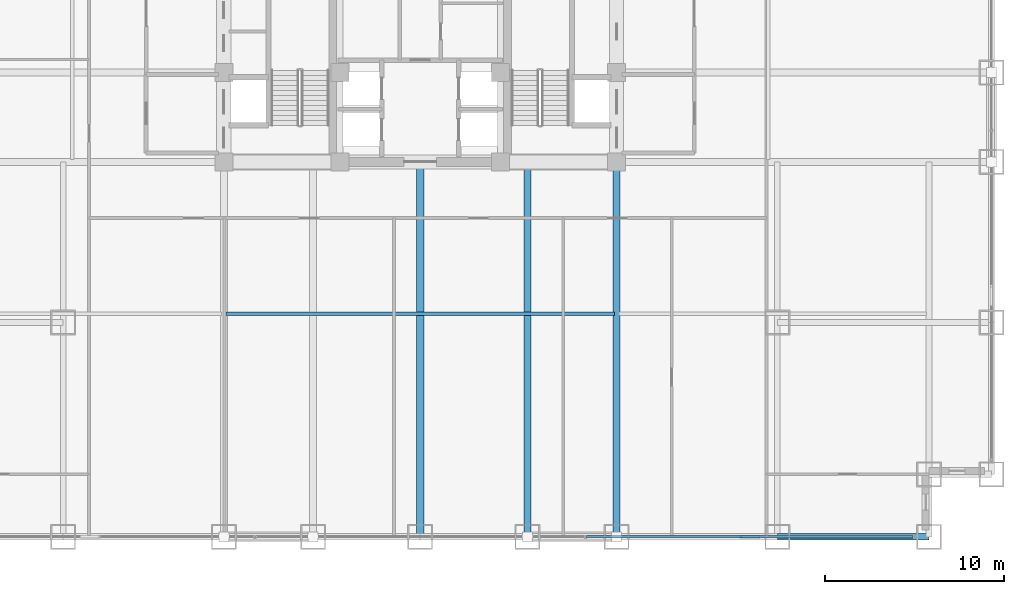
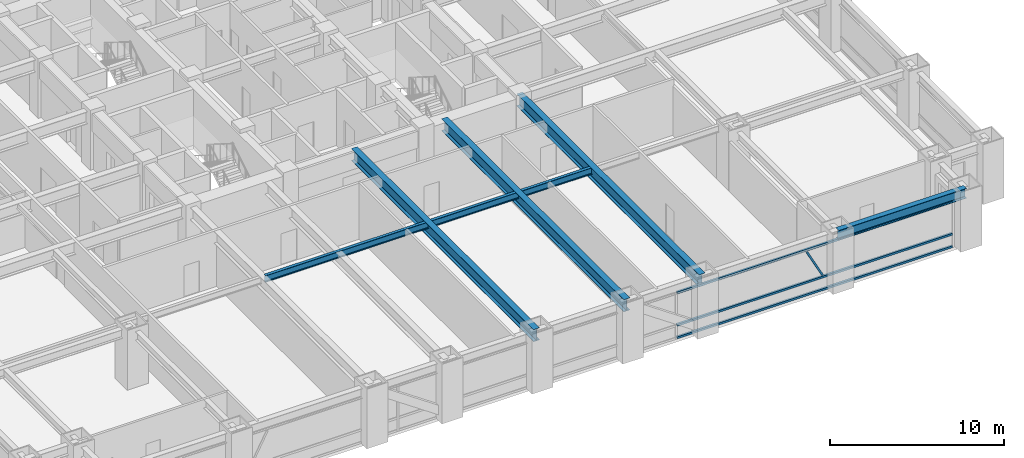
# One storey, part 9 of 27: 5 beams, 4 members, 1 element without a shape of its own.
"""IFC4 building model written with IfcOpenShell, lengths in metres."""

from ifc_helpers import new_model, si_unit, direction, frame, origin, origin_2d, place, context, subcontext, project, spatial, hollow_rectangle, i_section, extrude, source, transform, mapped, material, material_profile, profile_set, type_object, element, aggregate, save


model = new_model("IFC4")

# Units and contexts
model_context = context("Model", 3, precision=1e-05, world=origin(), true_north=direction((0.0, 1.0)))
body_context = subcontext(model_context, "Body", "Model", "MODEL_VIEW")
ifc_project = project(units=[si_unit("LENGTHUNIT", "METRE"), si_unit("AREAUNIT", "SQUARE_METRE"), si_unit("VOLUMEUNIT", "CUBIC_METRE"), si_unit("PLANEANGLEUNIT", "RADIAN"), si_unit("MASSUNIT", "GRAM", prefix="KILO")], contexts=[model_context])

# Site, building, storey
site_placement = place(None, origin())
site = spatial("IfcSite", under=ifc_project, at=site_placement, CompositionType="ELEMENT")
building_placement = place(site_placement, origin())
building = spatial("IfcBuilding", under=site, at=building_placement, Name="Khorayat Bourse Tower", CompositionType="ELEMENT")
storey_placement = place(building_placement, frame((0.0, 0.0, 53.60009765625)))
storey = spatial("IfcBuildingStorey", under=building, at=storey_placement, Name="L11", CompositionType="ELEMENT", Elevation=53.60009765625)

# Beams
ifc_material_1 = material(Name="Steel ASTM A992 Grade 50", Category="steel")
ifc_material_profile_1 = material_profile(ifc_material_1, i_section(OverallWidth=0.35498046875, OverallDepth=0.695068359375, WebThickness=0.015380859375, FlangeThickness=0.02490234375, FilletRadius=0.01806640625, at=origin_2d()), Name="W690X217")
ifc_profile_set_1 = profile_set([ifc_material_profile_1], Name="Steel ASTM A992 Grade 50")
beam_type_1 = type_object("IfcBeamType", Name="BM-SPAN-690", PredefinedType="SPANDREL", material=ifc_profile_set_1)
shared_shape_1 = source(origin(), body_context, "Body", "SweptSolid", [
    extrude(i_section(OverallWidth=0.35498046875, OverallDepth=0.695068359375, WebThickness=0.015380859375, FlangeThickness=0.02490234375, FilletRadius=0.01806640625, at=origin_2d()), origin(), (0.0, 0.0, 1.0), 8.5),
])
beam_1_placement = place(storey_placement, frame((20.0, -32.0, 3.59228515625), z_axis=(1.0, 0.0, 0.0), x_axis=(0.0, 1.0, 0.0)))
element("IfcBeam", 1, at=beam_1_placement, inside=storey, type_object=beam_type_1, Name="L11 BM-SPAN-690 BM-L11-SPN-031", PredefinedType="SPANDREL", context=body_context, shape_type="MappedRepresentation", body=[
    mapped(shared_shape_1, transform((0.0, 0.0, 0.0), scale=1.0)),
])
ifc_material_profile_2 = material_profile(ifc_material_1, i_section(OverallWidth=0.39990234375, OverallDepth=0.85498046875, WebThickness=0.018310546875, FlangeThickness=0.029296875, FilletRadius=0.02001953125, at=origin_2d()), Name="W840X299")
ifc_profile_set_2 = profile_set([ifc_material_profile_2], Name="Steel ASTM A992 Grade 50")
beam_type_2 = type_object("IfcBeamType", Name="BM-GIRD-840", PredefinedType="BEAM", material=ifc_profile_set_2)
shared_shape_2 = source(origin(), body_context, "Body", "SweptSolid", [
    extrude(i_section(OverallWidth=0.39990234375, OverallDepth=0.85498046875, WebThickness=0.018310546875, FlangeThickness=0.029296875, FilletRadius=0.02001953125, at=origin_2d()), origin(), (0.0, 0.0, 1.0), 21.0),
])
for number, where, z_axis, x_axis, name in (
    (2, (0.0, -32.0, 3.512451171875), (0.0, 1.0, 0.0), (-1.0, 0.0, 0.0), "L11 BM-GIRD-840 BM-L11-RADY-069"),
    (3, (6.0, -32.0, 3.512451171875), (0.0, 1.0, 0.0), (-1.0, 0.0, 0.0), "L11 BM-GIRD-840 BM-L11-RADY-071"),
    (4, (11.0, -32.0, 3.512451171875), (0.0, 1.0, 0.0), (-1.0, 0.0, 0.0), "L11 BM-GIRD-840 BM-L11-RADY-073"),
):
    element("IfcBeam", number, at=place(storey_placement, frame(where, z_axis=z_axis, x_axis=x_axis)), inside=storey, type_object=beam_type_2, Name=name, PredefinedType="BEAM", context=body_context, shape_type="MappedRepresentation", body=[
        mapped(shared_shape_2, transform((0.0, 0.0, 0.0), scale=1.0)),
    ])
ifc_material_profile_3 = material_profile(ifc_material_1, i_section(OverallWidth=0.194091796875, OverallDepth=0.468994140625, WebThickness=0.0126953125, FlangeThickness=0.0205078125, FilletRadius=0.012939453125, at=origin_2d()), Name="W460X106")
ifc_profile_set_3 = profile_set([ifc_material_profile_3], Name="Steel ASTM A992 Grade 50")
beam_type_3 = type_object("IfcBeamType", Name="BM-JOIST-460", PredefinedType="JOIST", material=ifc_profile_set_3)
shared_shape_3 = source(origin(), body_context, "Body", "SweptSolid", [
    extrude(i_section(OverallWidth=0.194091796875, OverallDepth=0.468994140625, WebThickness=0.0126953125, FlangeThickness=0.0205078125, FilletRadius=0.012939453125, at=origin_2d()), origin(), (0.0, 0.0, 1.0), 21.740234375),
])
beam_2_placement = place(storey_placement, frame((-10.8701171875, -19.5, 3.705322265625), z_axis=(1.0, 0.0, 0.0), x_axis=(0.0, 1.0, 0.0)))
element("IfcBeam", 5, at=beam_2_placement, inside=storey, type_object=beam_type_3, Name="L11 BM-JOIST-460 BM-L11-JSTX-097", PredefinedType="JOIST", context=body_context, shape_type="MappedRepresentation", body=[
    mapped(shared_shape_3, transform((0.0, 0.0, 0.0), scale=1.0)),
])

# Curtain wall, members
ifc_material_2 = material(Name="Aluminium EN AW-6063 T6", Category="aluminium")
curtain_wall_type = type_object("IfcCurtainWallType", Name="CW-SYS-02", PredefinedType="NOTDEFINED", material=ifc_material_2)
curtain_wall_placement = place(storey_placement, origin())
curtain_wall = element("IfcCurtainWall", 6, at=curtain_wall_placement, inside=storey, type_object=curtain_wall_type, Name="L11 Curtain Wall CW-L11-S1", PredefinedType="NOTDEFINED")
ifc_material_profile_4 = material_profile(ifc_material_2, hollow_rectangle(XDim=0.139892578125, YDim=0.139892578125, WallThickness=0.006103515625, at=origin_2d()), Name="ALU 140x140x6")
ifc_profile_set_4 = profile_set([ifc_material_profile_4], Name="Aluminium EN AW-6063 T6")
member_type_1 = type_object("IfcMemberType", Name="CWT-HORZ-140", PredefinedType="USERDEFINED", material=ifc_profile_set_4)
shared_shape_4 = source(origin(), body_context, "Body", "SweptSolid", [
    extrude(hollow_rectangle(XDim=0.139892578125, YDim=0.139892578125, WallThickness=0.006103515625, at=origin_2d()), origin(), (0.0, 0.0, 1.0), 18.2900390625),
])
member_1_placement = place(storey_placement, frame((9.320068359375, -32.0, 0.06982421875), z_axis=(1.0, 0.0, 0.0), x_axis=(0.0, 1.0, 0.0)))
member_1 = element("IfcMember", 7, at=member_1_placement, type_object=member_type_1, Name="CW-L11-S1 Horizontal Transom 3-1", ObjectType="TRANSOM", PredefinedType="USERDEFINED", context=body_context, shape_type="MappedRepresentation", body=[
    mapped(shared_shape_4, transform((0.0, 0.0, 0.0), scale=1.0)),
])
member_2_placement = place(storey_placement, frame((9.320068359375, -32.0, 0.949951171875), z_axis=(1.0, 0.0, 0.0), x_axis=(0.0, 1.0, 0.0)))
member_2 = element("IfcMember", 8, at=member_2_placement, type_object=member_type_1, Name="CW-L11-S1 Horizontal Transom 3-2", ObjectType="TRANSOM", PredefinedType="USERDEFINED", context=body_context, shape_type="MappedRepresentation", body=[
    mapped(shared_shape_4, transform((0.0, 0.0, 0.0), scale=1.0)),
])
member_3_placement = place(storey_placement, frame((9.320068359375, -32.0, 3.219970703125), z_axis=(1.0, 0.0, 0.0), x_axis=(0.0, 1.0, 0.0)))
member_3 = element("IfcMember", 9, at=member_3_placement, type_object=member_type_1, Name="CW-L11-S1 Horizontal Transom 3-3", ObjectType="TRANSOM", PredefinedType="USERDEFINED", context=body_context, shape_type="MappedRepresentation", body=[
    mapped(shared_shape_4, transform((0.0, 0.0, 0.0), scale=1.0)),
])
ifc_material_profile_5 = material_profile(ifc_material_2, hollow_rectangle(XDim=0.1201171875, YDim=0.1201171875, WallThickness=0.0048828125, at=origin_2d()), Name="ALU 120x120x5")
ifc_profile_set_5 = profile_set([ifc_material_profile_5], Name="Aluminium EN AW-6063 T6")
member_type_2 = type_object("IfcMemberType", Name="CWM-DIAG-120", PredefinedType="MULLION", material=ifc_profile_set_5)
shared_shape_5 = source(origin(), body_context, "Body", "SweptSolid", [
    extrude(hollow_rectangle(XDim=0.1201171875, YDim=0.1201171875, WallThickness=0.0048828125, at=origin_2d()), origin(), (0.0, 0.0, 1.0), 2.22607421875),
])
member_4_placement = place(storey_placement, frame((18.9833984375, -32.0, 1.099853515625), z_axis=(-0.465759992596, 0.0, 0.884911085532), x_axis=(0.0, -1.0, 0.0)))
member_4 = element("IfcMember", 10, at=member_4_placement, type_object=member_type_2, Name="CW-L11-S1 Faceted Diagonal Mullion 3", PredefinedType="MULLION", context=body_context, shape_type="MappedRepresentation", body=[
    mapped(shared_shape_5, transform((0.0, 0.0, 0.0), scale=1.0)),
])
aggregate(curtain_wall, [member_1, member_2, member_3, member_4])

save(model, "model.ifc")
